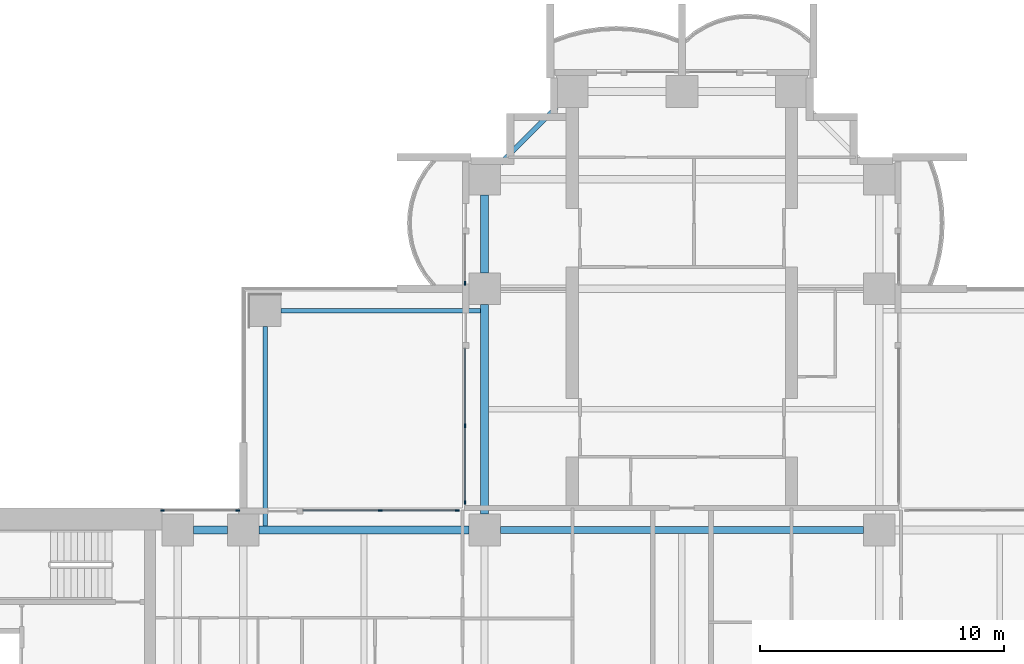
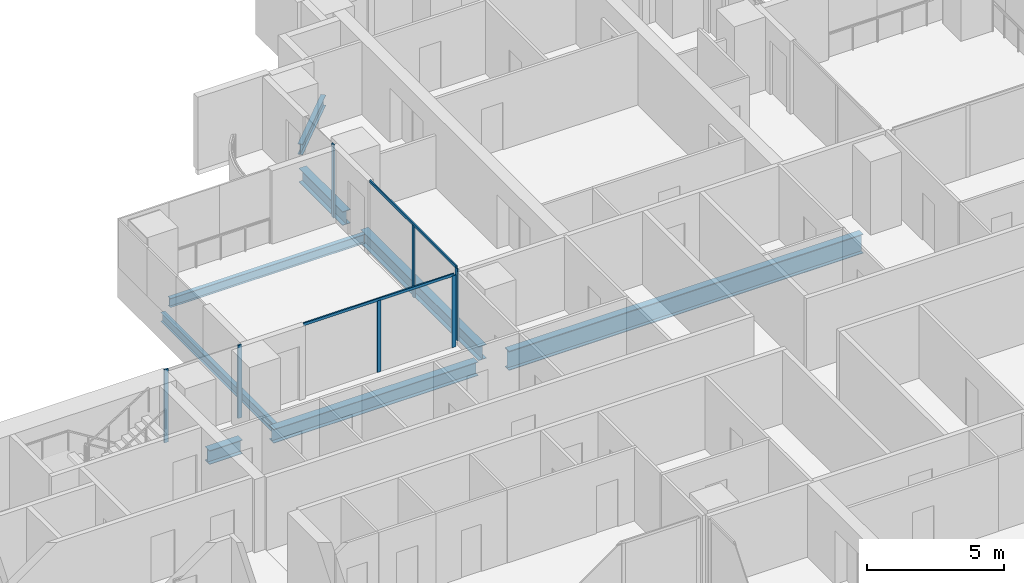
# One storey, part 5 of 20: 9 members, 8 beams, 4 elements without a shape of their own.
"""IFC4 building model written with IfcOpenShell, lengths in metres."""

import ifcopenshell
import ifcopenshell.guid

model = None  # the IFC model being written
_history = None  # IfcOwnerHistory: only IFC2X3 demands one
_inside = {}  # id of a spatial element -> (the spatial element, [elements in it])
_under = {}  # id of a project, library or spatial element -> (it, [spatial elements below it])
_declared = {}  # id of a project -> (the project, [libraries it declares])
_typed = {}  # id of a type object -> (the type object, [elements of that type])
_made_of = {}  # id of a material, layer set ... -> (it, [elements and type objects made of it])


def new_model(schema):
    """Start an empty IFC model of exactly this schema.

    Asked for "IFC4X3", IfcOpenShell would pick the latest addendum, in which some entities
    have other attributes; the version numbers below select the first issue.
    IFC2X3 requires an IfcOwnerHistory on every rooted entity: one is made here for all.
    """
    global model, _history
    if schema == "IFC4X3":
        model = ifcopenshell.file(schema_version=(4, 3, 0, 0))
    else:
        model = ifcopenshell.file(schema=schema)
    _inside.clear()
    _under.clear()
    _declared.clear()
    _typed.clear()
    _made_of.clear()
    _history = None
    if model.schema == "IFC2X3":
        org = make("IfcOrganization", Name="unknown")
        user = make(
            "IfcPersonAndOrganization",
            ThePerson=make("IfcPerson", FamilyName="unknown"),
            TheOrganization=org,
        )
        app = make(
            "IfcApplication",
            ApplicationDeveloper=org,
            Version="unknown",
            ApplicationFullName="unknown",
            ApplicationIdentifier="unknown",
        )
        _history = make(
            "IfcOwnerHistory",
            OwningUser=user,
            OwningApplication=app,
            ChangeAction="ADDED",
            CreationDate=0,
        )
    return model


def make(cls, **values):
    """One entity of the class cls with the attributes given. An attribute that is None is left unset."""
    return model.create_entity(
        cls, **{name: value for name, value in values.items() if value is not None}
    )


def rooted(cls, **values):
    """An entity with a GlobalId (a new one), such as an element, a storey or a relation."""
    return make(cls, GlobalId=ifcopenshell.guid.new(), OwnerHistory=_history, **values)


def si_unit(unit_type, name, prefix=None):
    """IfcSIUnit, for example si_unit("LENGTHUNIT", "METRE", prefix="MILLI")."""
    return make("IfcSIUnit", UnitType=unit_type, Prefix=prefix, Name=name)


def assignment(units):
    """IfcUnitAssignment: the units of a project."""
    return None if units is None else make("IfcUnitAssignment", Units=units)


def point(xyz):
    """IfcCartesianPoint."""
    return None if xyz is None else make("IfcCartesianPoint", Coordinates=xyz)


def direction(xyz):
    """IfcDirection."""
    return None if xyz is None else make("IfcDirection", DirectionRatios=xyz)


def frame(location, z_axis=None, x_axis=None):
    """IfcAxis2Placement3D, a coordinate frame: its origin and axes. An axis left out is left unset."""
    return make(
        "IfcAxis2Placement3D",
        Location=point(location),
        Axis=direction(z_axis),
        RefDirection=direction(x_axis),
    )


def frame_2d(location, x_axis=None):
    """IfcAxis2Placement2D, a coordinate frame in the plane: its origin and x axis."""
    return make(
        "IfcAxis2Placement2D", Location=point(location), RefDirection=direction(x_axis)
    )


def origin():
    """The frame at (0, 0, 0) with its axes left unset."""
    return frame((0.0, 0.0, 0.0))


def origin_2d():
    """The frame at (0, 0) in the plane with its x axis left unset."""
    return frame_2d((0.0, 0.0))


def place(relative_to, where):
    """IfcLocalPlacement: puts the frame where relative to a parent placement (None: the world)."""
    return make(
        "IfcLocalPlacement", PlacementRelTo=relative_to, RelativePlacement=where
    )


def context(
    kind, dimensions, precision=None, world=None, true_north=None, identifier=None
):
    """IfcGeometricRepresentationContext, for example the 3D "Model" context."""
    return make(
        "IfcGeometricRepresentationContext",
        ContextIdentifier=identifier,
        ContextType=kind,
        CoordinateSpaceDimension=dimensions,
        Precision=precision,
        WorldCoordinateSystem=world,
        TrueNorth=true_north,
    )


def subcontext(parent, identifier, kind, view, scale=None):
    """IfcGeometricRepresentationSubContext, for example "Body" below "Model"."""
    return make(
        "IfcGeometricRepresentationSubContext",
        ContextIdentifier=identifier,
        ContextType=kind,
        ParentContext=parent,
        TargetScale=scale,
        TargetView=view,
    )


def project(units=None, contexts=None):
    """IfcProject with its units and contexts."""
    return rooted(
        "IfcProject",
        Name="project",
        RepresentationContexts=contexts,
        UnitsInContext=assignment(units),
    )


def spatial(cls, under=None, at=None, **own):
    """A site, building, storey or space (cls), placed at a placement, below another one or the project."""
    s = rooted(cls, ObjectPlacement=at, **own)
    if under is not None:
        _under.setdefault(under.id(), (under, []))[1].append(s)
    return s


def profile(cls, at=None, kind="AREA", **sizes):
    """A parametric profile (cls). Its sizes go by their IFC names, for example OverallWidth=200.0."""
    return make(cls, ProfileType=kind, Position=at, **sizes)


def rectangle(**sizes):
    """IfcRectangleProfileDef."""
    return profile("IfcRectangleProfileDef", **sizes)


def i_section(**sizes):
    """IfcIShapeProfileDef."""
    return profile("IfcIShapeProfileDef", **sizes)


def extrude(swept, where, along, depth):
    """IfcExtrudedAreaSolid: the profile swept, set in the frame where, extruded along a direction by depth."""
    return make(
        "IfcExtrudedAreaSolid",
        SweptArea=swept,
        Position=where,
        ExtrudedDirection=direction(along),
        Depth=depth,
    )


def shape(context_of_items, identifier, shape_type, items):
    """IfcShapeRepresentation: the items that make up one representation, for example the "Body"."""
    return make(
        "IfcShapeRepresentation",
        ContextOfItems=context_of_items,
        RepresentationIdentifier=identifier,
        RepresentationType=shape_type,
        Items=items,
    )


def material(Name=None, Category=None):
    """IfcMaterial."""
    return make("IfcMaterial", Name=Name, Category=Category)


def material_profile(
    of_material, cross_section, Name=None, Category=None, Priority=None
):
    """IfcMaterialProfile: a cross section and its material."""
    return make(
        "IfcMaterialProfile",
        Name=Name,
        Material=of_material,
        Profile=cross_section,
        Priority=Priority,
        Category=Category,
    )


def profile_set(profiles, Name=None, composite=None):
    """IfcMaterialProfileSet."""
    return make(
        "IfcMaterialProfileSet",
        Name=Name,
        MaterialProfiles=profiles,
        CompositeProfile=composite,
    )


def made_of(thing, what):
    """Note that an element or type object is made of a material, layer set ...; save() writes the relation."""
    if what is not None:
        _made_of.setdefault(what.id(), (what, []))[1].append(thing)
    return thing


def type_object(cls, material=None, **own):
    """A type object (cls), such as IfcWallType, which elements share."""
    return made_of(rooted(cls, **own), material)


def element(
    cls,
    number,
    at=None,
    inside=None,
    cuts=None,
    type_object=None,
    material=None,
    context=None,
    identifier="Body",
    shape_type=None,
    held_by="IfcProductDefinitionShape",
    body=None,
    shapes=None,
    **own,
):
    """One element of the class cls, such as IfcWall. Its Tag is "e" and its number.

    at: its placement. inside: the storey or other place that contains it. cuts: it is an
    opening in that element (IfcRelVoidsElement). A single representation is given by context,
    identifier, shape_type and body (its items); several are given by shapes. held_by: the class
    of the entity that holds the representations. save() writes the other relations.
    """
    e = rooted(cls, Tag="e%d" % number, ObjectPlacement=at, **own)
    if body is not None:
        shapes = [shape(context, identifier, shape_type, body)]
    if shapes is not None:
        e.Representation = make(held_by, Representations=shapes)
    if inside is not None:
        _inside.setdefault(inside.id(), (inside, []))[1].append(e)
    if cuts is not None:
        rooted(
            "IfcRelVoidsElement", RelatingBuildingElement=cuts, RelatedOpeningElement=e
        )
    if type_object is not None:
        _typed.setdefault(type_object.id(), (type_object, []))[1].append(e)
    return made_of(e, material)


def aggregate(whole, parts):
    """IfcRelAggregates: a whole, such as a stair, and the parts it consists of."""
    return rooted("IfcRelAggregates", RelatingObject=whole, RelatedObjects=parts)


def save(model, path):
    """Write the relations noted so far, then the file.

    IfcRelAggregates (storeys below a building ...), IfcRelContainedInSpatialStructure (elements
    in a storey), IfcRelDefinesByType, IfcRelAssociatesMaterial and IfcRelDeclares: one each for
    every whole, place, type object, material and project.
    """
    for whole, parts in _under.values():
        aggregate(whole, parts)
    for where, things in _inside.values():
        rooted(
            "IfcRelContainedInSpatialStructure",
            RelatedElements=things,
            RelatingStructure=where,
        )
    for kind, things in _typed.values():
        rooted("IfcRelDefinesByType", RelatedObjects=things, RelatingType=kind)
    for what, things in _made_of.values():
        rooted("IfcRelAssociatesMaterial", RelatedObjects=things, RelatingMaterial=what)
    for by, libraries in _declared.values():
        rooted("IfcRelDeclares", RelatingContext=by, RelatedDefinitions=libraries)
    model.write(path)


model = new_model("IFC4")

# Units and contexts
model_context = context("Model", 3, precision=1e-05, world=origin(), true_north=direction((0.0, 1.0)))
body_context = subcontext(model_context, "Body", "Model", "MODEL_VIEW")
ifc_project = project(units=[si_unit("LENGTHUNIT", "METRE"), si_unit("AREAUNIT", "SQUARE_METRE"), si_unit("VOLUMEUNIT", "CUBIC_METRE"), si_unit("PLANEANGLEUNIT", "RADIAN"), si_unit("MASSUNIT", "GRAM", prefix="KILO")], contexts=[model_context])

# Site, building, storey
site_placement = place(None, origin())
site = spatial("IfcSite", under=ifc_project, at=site_placement, CompositionType="ELEMENT")
building_placement = place(site_placement, origin())
building = spatial("IfcBuilding", under=site, at=building_placement, Name="Perihelion Cross Residences", CompositionType="ELEMENT")
storey_placement = place(building_placement, frame((0.0, 0.0, 71.5)))
storey = spatial("IfcBuildingStorey", under=building, at=storey_placement, Name="L15", CompositionType="ELEMENT", Elevation=71.5)

# Curtain wall, member
ifc_material_1 = material(Name="Bronze anodised aluminium, tinted glazing", Category="aluminium")
curtain_wall_type = type_object("IfcCurtainWallType", Name="CW1", PredefinedType="NOTDEFINED", material=ifc_material_1)
curtain_wall_1_placement = place(storey_placement, origin())
curtain_wall_1 = element("IfcCurtainWall", 1, at=curtain_wall_1_placement, inside=storey, type_object=curtain_wall_type, Name="Curtain wall CW1 L15 north side west bay 1", PredefinedType="NOTDEFINED")
ifc_material_2 = material(Name="Bronze anodised aluminium", Category="aluminium")
ifc_material_profile_1 = material_profile(ifc_material_2, rectangle(XDim=0.06005859375, YDim=0.159912109375, at=origin_2d()), Name="CW1 mullion")
ifc_profile_set_1 = profile_set([ifc_material_profile_1], Name="Bronze anodised aluminium")
member_type_1 = type_object("IfcMemberType", Name="CW1 mullion", PredefinedType="MULLION", material=ifc_profile_set_1)
member_1_placement = place(storey_placement, frame((-8.89990234375, 18.22998046875, 0.0), z_axis=(0.0, 0.0, 1.0), x_axis=(1.0, 0.0, 0.0)))
member_1 = element("IfcMember", 2, at=member_1_placement, type_object=member_type_1, Name="CW1 mullion 2", PredefinedType="MULLION", context=body_context, shape_type="SweptSolid", body=[
    extrude(rectangle(XDim=0.06005859375, YDim=0.159912109375, at=origin_2d()), origin(), (0.0, 0.0, 1.0), 3.25),
])
aggregate(curtain_wall_1, [member_1])

# Curtain wall, members
curtain_wall_2_placement = place(storey_placement, origin())
curtain_wall_2 = element("IfcCurtainWall", 3, at=curtain_wall_2_placement, inside=storey, type_object=curtain_wall_type, Name="Curtain wall CW1 L15 north side west bay 2", PredefinedType="NOTDEFINED")
member_2_placement = place(storey_placement, frame((-8.89990234375, 12.375, 0.0), z_axis=(0.0, 0.0, 1.0), x_axis=(1.0, 0.0, 0.0)))
member_2 = element("IfcMember", 4, at=member_2_placement, type_object=member_type_1, Name="CW1 mullion 2", PredefinedType="MULLION", context=body_context, shape_type="SweptSolid", body=[
    extrude(rectangle(XDim=0.06005859375, YDim=0.159912109375, at=origin_2d()), origin(), (0.0, 0.0, 1.0), 3.18994140625),
])
member_3_placement = place(storey_placement, frame((-8.89990234375, 9.22998046875, 0.0), z_axis=(0.0, 0.0, 1.0), x_axis=(1.0, 0.0, 0.0)))
member_3 = element("IfcMember", 5, at=member_3_placement, type_object=member_type_1, Name="CW1 mullion 3", PredefinedType="MULLION", context=body_context, shape_type="SweptSolid", body=[
    extrude(rectangle(XDim=0.06005859375, YDim=0.159912109375, at=origin_2d()), origin(), (0.0, 0.0, 1.0), 3.18994140625),
])

curtain_wall_3_placement = place(storey_placement, origin())
curtain_wall_3 = element("IfcCurtainWall", 6, at=curtain_wall_3_placement, inside=storey, type_object=curtain_wall_type, Name="Curtain wall CW1 L15 west side north bay 1", PredefinedType="NOTDEFINED")
member_4_placement = place(storey_placement, frame((-9.22998046875, 8.89990234375, 0.0), z_axis=(0.0, 0.0, 1.0), x_axis=(0.0, -1.0, 0.0)))
member_4 = element("IfcMember", 7, at=member_4_placement, type_object=member_type_1, Name="CW1 mullion 1", PredefinedType="MULLION", context=body_context, shape_type="SweptSolid", body=[
    extrude(rectangle(XDim=0.06005859375, YDim=0.159912109375, at=origin_2d()), origin(), (0.0, 0.0, 1.0), 3.18994140625),
])
member_5_placement = place(storey_placement, frame((-12.375, 8.89990234375, 0.0), z_axis=(0.0, 0.0, 1.0), x_axis=(0.0, -1.0, 0.0)))
member_5 = element("IfcMember", 8, at=member_5_placement, type_object=member_type_1, Name="CW1 mullion 2", PredefinedType="MULLION", context=body_context, shape_type="SweptSolid", body=[
    extrude(rectangle(XDim=0.06005859375, YDim=0.159912109375, at=origin_2d()), origin(), (0.0, 0.0, 1.0), 3.18994140625),
])

curtain_wall_4_placement = place(storey_placement, origin())
curtain_wall_4 = element("IfcCurtainWall", 9, at=curtain_wall_4_placement, inside=storey, type_object=curtain_wall_type, Name="Curtain wall CW1 L15 west side north bay 2", PredefinedType="NOTDEFINED")
member_6_placement = place(storey_placement, frame((-18.22998046875, 8.89990234375, 0.0), z_axis=(0.0, 0.0, 1.0), x_axis=(0.0, -1.0, 0.0)))
member_6 = element("IfcMember", 10, at=member_6_placement, type_object=member_type_1, Name="CW1 mullion 1", PredefinedType="MULLION", context=body_context, shape_type="SweptSolid", body=[
    extrude(rectangle(XDim=0.06005859375, YDim=0.159912109375, at=origin_2d()), origin(), (0.0, 0.0, 1.0), 3.25),
])
member_7_placement = place(storey_placement, frame((-21.320068359375, 8.89990234375, 0.0), z_axis=(0.0, 0.0, 1.0), x_axis=(0.0, -1.0, 0.0)))
member_7 = element("IfcMember", 11, at=member_7_placement, type_object=member_type_1, Name="CW1 mullion 2", PredefinedType="MULLION", context=body_context, shape_type="SweptSolid", body=[
    extrude(rectangle(XDim=0.06005859375, YDim=0.159912109375, at=origin_2d()), origin(), (0.0, 0.0, 1.0), 3.25),
])
aggregate(curtain_wall_4, [member_6, member_7])

# Member
ifc_material_3 = material(Name="Bronze anodised aluminium", Category="aluminium")
ifc_material_profile_2 = material_profile(ifc_material_3, rectangle(XDim=0.06005859375, YDim=0.1201171875, at=origin_2d()), Name="CW1 transom")
ifc_profile_set_2 = profile_set([ifc_material_profile_2], Name="Bronze anodised aluminium")
member_type_2 = type_object("IfcMemberType", Name="CW1 transom", PredefinedType="USERDEFINED", material=ifc_profile_set_2)
member_8_placement = place(storey_placement, frame((-8.89990234375, 15.550048828125, 3.219970703125), z_axis=(0.0, -1.0, 0.0), x_axis=(1.0, 0.0, 0.0)))
member_8 = element("IfcMember", 12, at=member_8_placement, type_object=member_type_2, Name="CW1 head transom", ObjectType="TRANSOM", PredefinedType="USERDEFINED", context=body_context, shape_type="SweptSolid", body=[
    extrude(rectangle(XDim=0.06005859375, YDim=0.1201171875, at=origin_2d()), origin(), (0.0, 0.0, 1.0), 6.320068359375),
])

aggregate(curtain_wall_2, [member_2, member_3, member_8])

member_9_placement = place(storey_placement, frame((-9.22998046875, 8.89990234375, 3.219970703125), z_axis=(-1.0, 0.0, 0.0), x_axis=(0.0, -1.0, 0.0)))
member_9 = element("IfcMember", 13, at=member_9_placement, type_object=member_type_2, Name="CW1 head transom", ObjectType="TRANSOM", PredefinedType="USERDEFINED", context=body_context, shape_type="SweptSolid", body=[
    extrude(rectangle(XDim=0.06005859375, YDim=0.1201171875, at=origin_2d()), origin(), (0.0, 0.0, 1.0), 6.320068359375),
])

aggregate(curtain_wall_3, [member_4, member_5, member_9])

# Beams
ifc_material_4 = material(Name="Steel S355", Category="steel")
ifc_material_profile_3 = material_profile(ifc_material_4, i_section(OverallWidth=0.177978515625, OverallDepth=0.406005859375, WebThickness=0.0078125, FlangeThickness=0.0126953125, at=origin_2d()), Name="W410x60")
ifc_profile_set_3 = profile_set([ifc_material_profile_3], Name="Steel S355")
beam_type_1 = type_object("IfcBeamType", Name="Core edge beam W410x60", PredefinedType="BEAM", material=ifc_profile_set_3)
for number, where, z_axis, x_axis, name in (
    (14, (-17.10009765625, 8.262451171875, -0.452880859375), (0.0, 1.0, 0.0), (-1.0, 0.0, 0.0), "Core edge beam TB2 L15 corner no. 3"),
    (15, (-8.262451171875, 17.10009765625, -0.452880859375), (-1.0, 0.0, 0.0), (0.0, -1.0, 0.0), "Core edge beam TB2 L15 corner no. 4"),
):
    element("IfcBeam", number, at=place(storey_placement, frame(where, z_axis=z_axis, x_axis=x_axis)), inside=storey, type_object=beam_type_1, Name=name, PredefinedType="BEAM", context=body_context, shape_type="SweptSolid", body=[
        extrude(i_section(OverallWidth=0.177978515625, OverallDepth=0.406005859375, WebThickness=0.0078125, FlangeThickness=0.0126953125, at=origin_2d()), origin(), (0.0, 0.0, 1.0), 8.1875),
    ])
ifc_material_5 = material(Name="Steel S355", Category="steel")
ifc_material_profile_4 = material_profile(ifc_material_5, i_section(OverallWidth=0.324951171875, OverallDepth=0.616943359375, WebThickness=0.013916015625, FlangeThickness=0.021484375, at=origin_2d()), Name="W610x174")
ifc_profile_set_4 = profile_set([ifc_material_profile_4], Name="Steel S355")
beam_type_2 = type_object("IfcBeamType", Name="Edge beam W610x174", PredefinedType="SPANDREL", material=ifc_profile_set_4)
beam_1_placement = place(storey_placement, frame((-8.10009765625, 21.85009765625, -0.55859375), z_axis=(0.0, -1.0, 0.0), x_axis=(1.0, 0.0, 0.0)))
element("IfcBeam", 16, at=beam_1_placement, inside=storey, type_object=beam_type_2, Name="Edge beam SB2 L15 no. 8", PredefinedType="SPANDREL", context=body_context, shape_type="SweptSolid", body=[
    extrude(i_section(OverallWidth=0.324951171875, OverallDepth=0.616943359375, WebThickness=0.013916015625, FlangeThickness=0.021484375, at=origin_2d()), origin(), (0.0, 0.0, 1.0), 3.2001953125),
])
for number, where, z_axis, x_axis, name in (
    (17, (-8.10009765625, 17.35009765625, -0.55859375), (0.0, -1.0, 0.0), (1.0, 0.0, 0.0), "Edge beam SB2 L15 no. 7"),
    (18, (-8.75, 8.10009765625, -0.55859375), (-1.0, 0.0, 0.0), (0.0, -1.0, 0.0), "Edge beam SB2 L15 no. 9"),
):
    element("IfcBeam", number, at=place(storey_placement, frame(where, z_axis=z_axis, x_axis=x_axis)), inside=storey, type_object=beam_type_2, Name=name, PredefinedType="SPANDREL", context=body_context, shape_type="SweptSolid", body=[
        extrude(i_section(OverallWidth=0.324951171875, OverallDepth=0.616943359375, WebThickness=0.013916015625, FlangeThickness=0.021484375, at=origin_2d()), origin(), (0.0, 0.0, 1.0), 8.60009765625),
    ])
beam_2_placement = place(storey_placement, frame((-18.64990234375, 8.10009765625, -0.55859375), z_axis=(-1.0, 0.0, 0.0), x_axis=(0.0, -1.0, 0.0)))
element("IfcBeam", 19, at=beam_2_placement, inside=storey, type_object=beam_type_2, Name="Edge beam SB2 L15 no. 2", PredefinedType="SPANDREL", context=body_context, shape_type="SweptSolid", body=[
    extrude(i_section(OverallWidth=0.324951171875, OverallDepth=0.616943359375, WebThickness=0.013916015625, FlangeThickness=0.021484375, at=origin_2d()), origin(), (0.0, 0.0, 1.0), 1.400146484375),
])
ifc_material_6 = material(Name="Steel S355", Category="steel")
ifc_material_profile_5 = material_profile(ifc_material_6, i_section(OverallWidth=0.2919921875, OverallDepth=0.85888671875, WebThickness=0.01708984375, FlangeThickness=0.031005859375, at=origin_2d()), Name="W840x251")
ifc_profile_set_5 = profile_set([ifc_material_profile_5], Name="Steel S355")
beam_type_3 = type_object("IfcBeamType", Name="Hub ring girder W840x251", PredefinedType="BEAM", material=ifc_profile_set_5)
beam_3_placement = place(storey_placement, frame((7.449951171875, 8.10009765625, -0.679443359375), z_axis=(-1.0, 0.0, 0.0), x_axis=(0.0, -1.0, 0.0)))
element("IfcBeam", 20, at=beam_3_placement, inside=storey, type_object=beam_type_3, Name="Hub ring girder RG2 L15 no. 4", PredefinedType="BEAM", context=body_context, shape_type="SweptSolid", body=[
    extrude(i_section(OverallWidth=0.2919921875, OverallDepth=0.85888671875, WebThickness=0.01708984375, FlangeThickness=0.031005859375, at=origin_2d()), origin(), (0.0, 0.0, 1.0), 14.89990234375),
])
ifc_material_7 = material(Name="Steel S355", Category="steel")
ifc_material_profile_6 = material_profile(ifc_material_7, i_section(OverallWidth=0.194091796875, OverallDepth=0.469970703125, WebThickness=0.0126953125, FlangeThickness=0.0205078125, at=origin_2d()), Name="W460x106")
ifc_profile_set_6 = profile_set([ifc_material_profile_6], Name="Steel S355")
beam_type_4 = type_object("IfcBeamType", Name="Serration edge beam W460x106", PredefinedType="BEAM", material=ifc_profile_set_6)
beam_4_placement = place(storey_placement, frame((-5.14990234375, 25.449951171875, -0.485107421875), z_axis=(-0.707106781187, -0.707106781187, 0.0), x_axis=(0.707106781187, -0.707106781187, 0.0)))
element("IfcBeam", 21, at=beam_4_placement, inside=storey, type_object=beam_type_4, Name="Serration edge beam EB2 L15 no. 1", PredefinedType="BEAM", context=body_context, shape_type="SweptSolid", body=[
    extrude(i_section(OverallWidth=0.194091796875, OverallDepth=0.469970703125, WebThickness=0.0126953125, FlangeThickness=0.0205078125, at=origin_2d()), origin(), (0.0, 0.0, 1.0), 3.252685546875),
])

save(model, "model.ifc")
